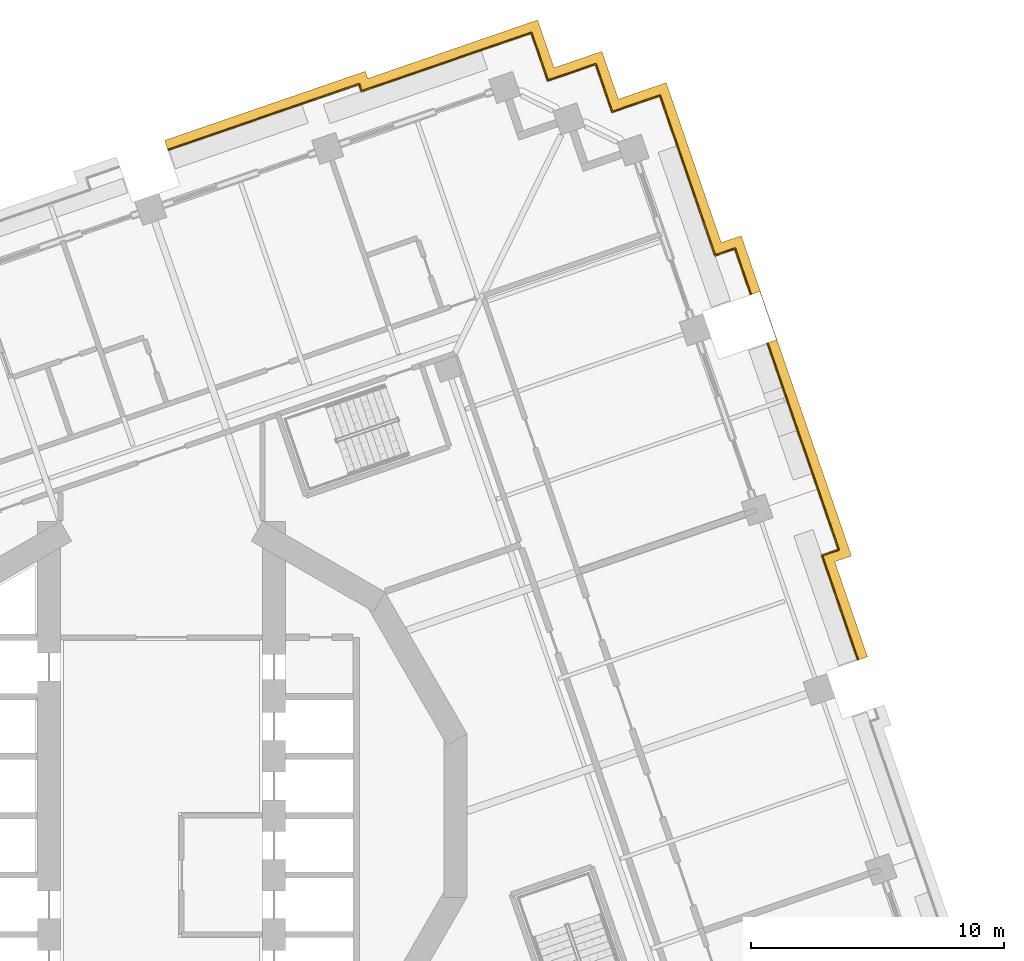
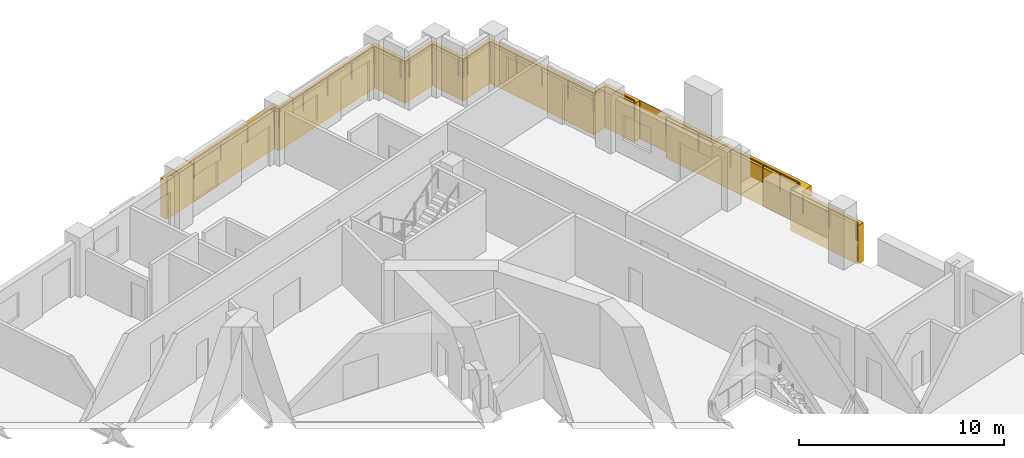
# One storey, part 18 of 19: 4 railings, 1 covering.
"""IFC4 building model written with IfcOpenShell, lengths in metres."""

from ifc_helpers import new_model, si_unit, direction, frame, origin, origin_2d, place, context, subcontext, project, spatial, polyline, circle, outline, extrude, material, type_object, element, save


model = new_model("IFC4")

# Units and contexts
model_context = context("Model", 3, precision=1e-05, world=origin(), true_north=direction((0.0, 1.0)))
body_context = subcontext(model_context, "Body", "Model", "MODEL_VIEW")
ifc_project = project(units=[si_unit("LENGTHUNIT", "METRE"), si_unit("AREAUNIT", "SQUARE_METRE"), si_unit("VOLUMEUNIT", "CUBIC_METRE"), si_unit("PLANEANGLEUNIT", "RADIAN"), si_unit("MASSUNIT", "GRAM", prefix="KILO")], contexts=[model_context])

# Site, building, storey
site_placement = place(None, origin())
site = spatial("IfcSite", under=ifc_project, at=site_placement, CompositionType="ELEMENT")
building_placement = place(site_placement, origin())
building = spatial("IfcBuilding", under=site, at=building_placement, Name="Cantera Rosa Tower", CompositionType="ELEMENT")
storey_placement = place(building_placement, frame((0.0, 0.0, 111.699951171875)))
storey = spatial("IfcBuildingStorey", under=building, at=storey_placement, Name="L22", CompositionType="ELEMENT", Elevation=111.699951171875)

# Railings
ifc_material_1 = material(Name="Stainless steel and laminated glass", Category="steel")
railing_type = type_object("IfcRailingType", Name="GUARD 1100", PredefinedType="BALUSTRADE", material=ifc_material_1)
railing_1_placement = place(storey_placement, frame((26.769775390625, 10.513916015625, 0.0)))
element("IfcRailing", 1, at=railing_1_placement, inside=storey, type_object=railing_type, Name="GUARD L22-12", PredefinedType="BALUSTRADE", context=body_context, shape_type="SweptSolid", body=[
    extrude(circle(Radius=0.030029296875, at=origin_2d()), frame((0.0, 0.0, 1.070068359375), z_axis=(-0.945372981626, -0.325990683319, 0.0), x_axis=(0.325990683319, -0.945372981626, 0.0)), (0.0, 0.0, 1.0), 0.14990234375),
    extrude(circle(Radius=0.030029296875, at=origin_2d()), frame((-0.1416015625, -0.048828125, 1.070068359375), z_axis=(-1.0, 0.0, 0.0), x_axis=(0.0, -1.0, 0.0)), (0.0, 0.0, 1.0), 0.000244140625),
    extrude(circle(Radius=0.030029296875, at=origin_2d()), frame((-0.141845703125, -0.048828125, 1.070068359375), z_axis=(-0.945449252134, -0.325769414831, 0.0), x_axis=(0.325769414831, -0.945449252134, 0.0)), (0.0, 0.0, 1.0), 0.544189453125),
    extrude(circle(Radius=0.030029296875, at=origin_2d()), frame((-0.65625, -0.22607421875, 1.070068359375), z_axis=(-0.941741911595, -0.336336396998, 0.0), x_axis=(0.336336396998, -0.941741911595, 0.0)), (0.0, 0.0, 1.0), 0.003662109375),
    extrude(circle(Radius=0.030029296875, at=origin_2d()), frame((-0.65966796875, -0.227294921875, 1.070068359375), z_axis=(0.294085848838, -0.955779008722, 0.0), x_axis=(0.955779008722, 0.294085848838, 0.0)), (0.0, 0.0, 1.0), 0.00341796875),
    extrude(circle(Radius=0.030029296875, at=origin_2d()), frame((-0.65869140625, -0.23046875, 1.070068359375), z_axis=(0.32557830589, -0.94551508012, 0.0), x_axis=(0.94551508012, 0.32557830589, 0.0)), (0.0, 0.0, 1.0), 0.821044921875),
    extrude(circle(Radius=0.030029296875, at=origin_2d()), frame((-0.391357421875, -1.0068359375, 1.070068359375), z_axis=(0.325573778727, -0.945516638989, 0.0), x_axis=(0.945516638989, 0.325573778727, 0.0)), (0.0, 0.0, 1.0), 3.4111328125),
    extrude(circle(Radius=0.030029296875, at=origin_2d()), frame((0.71923828125, -4.232177734375, 1.070068359375), z_axis=(0.4472135955, -0.894427191, 0.0), x_axis=(0.894427191, 0.4472135955, 0.0)), (0.0, 0.0, 1.0), 0.0009765625),
    extrude(circle(Radius=0.030029296875, at=origin_2d()), frame((0.7197265625, -4.233154296875, 1.070068359375), z_axis=(0.324219397928, -0.945981914207, 0.0), x_axis=(0.945981914207, 0.324219397928, 0.0)), (0.0, 0.0, 1.0), 0.118896484375),
    extrude(circle(Radius=0.02490234375, at=origin_2d()), origin(), (0.0, 0.0, 1.0), 1.0400390625),
    extrude(circle(Radius=0.02490234375, at=origin_2d()), frame((-0.1416015625, -0.048828125, 0.0)), (0.0, 0.0, 1.0), 1.0400390625),
    extrude(circle(Radius=0.02490234375, at=origin_2d()), frame((-0.141845703125, -0.048828125, 0.0)), (0.0, 0.0, 1.0), 1.0400390625),
    extrude(circle(Radius=0.02490234375, at=origin_2d()), frame((-0.65625, -0.22607421875, 0.0)), (0.0, 0.0, 1.0), 1.0400390625),
    extrude(circle(Radius=0.02490234375, at=origin_2d()), frame((-0.65966796875, -0.227294921875, 0.0)), (0.0, 0.0, 1.0), 1.0400390625),
    extrude(circle(Radius=0.02490234375, at=origin_2d()), frame((-0.65869140625, -0.23046875, 0.0)), (0.0, 0.0, 1.0), 1.0400390625),
    extrude(circle(Radius=0.02490234375, at=origin_2d()), frame((-0.391357421875, -1.0068359375, 0.0)), (0.0, 0.0, 1.0), 1.0400390625),
    extrude(circle(Radius=0.02490234375, at=origin_2d()), frame((0.1640625, -2.61962890625, 0.0)), (0.0, 0.0, 1.0), 1.0400390625),
    extrude(circle(Radius=0.02490234375, at=origin_2d()), frame((0.71923828125, -4.232177734375, 0.0)), (0.0, 0.0, 1.0), 1.0400390625),
    extrude(circle(Radius=0.02490234375, at=origin_2d()), frame((0.7197265625, -4.233154296875, 0.0)), (0.0, 0.0, 1.0), 1.0400390625),
    extrude(circle(Radius=0.02490234375, at=origin_2d()), frame((0.75830078125, -4.345703125, 0.0)), (0.0, 0.0, 1.0), 1.0400390625),
])
railing_2_placement = place(storey_placement, frame((23.9619140625, 18.668212890625, 0.0)))
element("IfcRailing", 2, at=railing_2_placement, inside=storey, type_object=railing_type, Name="GUARD L22-13", PredefinedType="BALUSTRADE", context=body_context, shape_type="SweptSolid", body=[
    extrude(circle(Radius=0.030029296875, at=origin_2d()), frame((0.0, 0.0, 1.070068359375), z_axis=(0.325579460886, -0.945514682408, 0.0), x_axis=(0.945514682408, 0.325579460886, 0.0)), (0.0, 0.0, 1.0), 6.23974609375),
    extrude(circle(Radius=0.030029296875, at=origin_2d()), frame((2.031494140625, -5.899658203125, 1.070068359375), z_axis=(0.707106781187, -0.707106781187, 0.0), x_axis=(0.707106781187, 0.707106781187, 0.0)), (0.0, 0.0, 1.0), 0.000244140625),
    extrude(circle(Radius=0.030029296875, at=origin_2d()), frame((2.03173828125, -5.89990234375, 1.070068359375), z_axis=(0.325522548632, -0.945534277714, 0.0), x_axis=(0.945534277714, 0.325522548632, 0.0)), (0.0, 0.0, 1.0), 2.234130859375),
    extrude(circle(Radius=0.030029296875, at=origin_2d()), frame((2.759033203125, -8.012451171875, 1.070068359375), z_axis=(0.316227766017, -0.948683298051, 0.0), x_axis=(0.948683298051, 0.316227766017, 0.0)), (0.0, 0.0, 1.0), 0.000732421875),
    extrude(circle(Radius=0.030029296875, at=origin_2d()), frame((2.75927734375, -8.01318359375, 1.070068359375), z_axis=(0.325536915192, -0.945529331564, 0.0), x_axis=(0.945529331564, 0.325536915192, 0.0)), (0.0, 0.0, 1.0), 0.149169921875),
    extrude(circle(Radius=0.02490234375, at=origin_2d()), origin(), (0.0, 0.0, 1.0), 1.0400390625),
    extrude(circle(Radius=0.02490234375, at=origin_2d()), frame((0.67724609375, -1.966552734375, 0.0)), (0.0, 0.0, 1.0), 1.0400390625),
    extrude(circle(Radius=0.02490234375, at=origin_2d()), frame((1.354248046875, -3.93310546875, 0.0)), (0.0, 0.0, 1.0), 1.0400390625),
    extrude(circle(Radius=0.02490234375, at=origin_2d()), frame((2.031494140625, -5.899658203125, 0.0)), (0.0, 0.0, 1.0), 1.0400390625),
    extrude(circle(Radius=0.02490234375, at=origin_2d()), frame((2.03173828125, -5.89990234375, 0.0)), (0.0, 0.0, 1.0), 1.0400390625),
    extrude(circle(Radius=0.02490234375, at=origin_2d()), frame((2.3955078125, -6.9560546875, 0.0)), (0.0, 0.0, 1.0), 1.0400390625),
    extrude(circle(Radius=0.02490234375, at=origin_2d()), frame((2.759033203125, -8.012451171875, 0.0)), (0.0, 0.0, 1.0), 1.0400390625),
    extrude(circle(Radius=0.02490234375, at=origin_2d()), frame((2.75927734375, -8.01318359375, 0.0)), (0.0, 0.0, 1.0), 1.0400390625),
    extrude(circle(Radius=0.02490234375, at=origin_2d()), frame((2.807861328125, -8.154296875, 0.0)), (0.0, 0.0, 1.0), 1.0400390625),
])
railing_3_placement = place(storey_placement, frame((19.705810546875, 28.466552734375, 0.0)))
element("IfcRailing", 3, at=railing_3_placement, inside=storey, type_object=railing_type, Name="GUARD L22-14", PredefinedType="BALUSTRADE", context=body_context, shape_type="SweptSolid", body=[
    extrude(circle(Radius=0.030029296875, at=origin_2d()), frame((0.0, 0.0, 1.070068359375), z_axis=(0.325561349174, -0.945520918819, 0.0), x_axis=(0.945520918819, 0.325561349174, 0.0)), (0.0, 0.0, 1.0), 1.699951171875),
    extrude(circle(Radius=0.030029296875, at=origin_2d()), frame((0.553466796875, -1.607421875, 1.070068359375), z_axis=(0.325584707216, -0.945512875865, 0.0), x_axis=(0.945512875865, 0.325584707216, 0.0)), (0.0, 0.0, 1.0), 4.98583984375),
    extrude(circle(Radius=0.030029296875, at=origin_2d()), frame((2.1767578125, -6.321533203125, 1.070068359375), z_axis=(0.94547555612, 0.325693065293, 0.0), x_axis=(-0.325693065293, 0.94547555612, 0.0)), (0.0, 0.0, 1.0), 0.834228515625),
    extrude(circle(Radius=0.030029296875, at=origin_2d()), frame((2.965576171875, -6.0498046875, 1.070068359375), z_axis=(0.325520455673, -0.945534998262, 0.0), x_axis=(0.945534998262, 0.325520455673, 0.0)), (0.0, 0.0, 1.0), 1.904296875),
    extrude(circle(Radius=0.02490234375, at=origin_2d()), origin(), (0.0, 0.0, 1.0), 1.0400390625),
    extrude(circle(Radius=0.02490234375, at=origin_2d()), frame((0.553466796875, -1.607421875, 0.0)), (0.0, 0.0, 1.0), 1.0400390625),
    extrude(circle(Radius=0.02490234375, at=origin_2d()), frame((1.094482421875, -3.1787109375, 0.0)), (0.0, 0.0, 1.0), 1.0400390625),
    extrude(circle(Radius=0.02490234375, at=origin_2d()), frame((1.6357421875, -4.750244140625, 0.0)), (0.0, 0.0, 1.0), 1.0400390625),
    extrude(circle(Radius=0.02490234375, at=origin_2d()), frame((2.1767578125, -6.321533203125, 0.0)), (0.0, 0.0, 1.0), 1.0400390625),
    extrude(circle(Radius=0.02490234375, at=origin_2d()), frame((2.965576171875, -6.0498046875, 0.0)), (0.0, 0.0, 1.0), 1.0400390625),
    extrude(circle(Radius=0.02490234375, at=origin_2d()), frame((3.58544921875, -7.850341796875, 0.0)), (0.0, 0.0, 1.0), 1.0400390625),
])
railing_4_placement = place(storey_placement, frame((0.275146484375, 26.32275390625, 0.0)))
element("IfcRailing", 4, at=railing_4_placement, inside=storey, type_object=railing_type, Name="GUARD L22-15", PredefinedType="BALUSTRADE", context=body_context, shape_type="SweptSolid", body=[
    extrude(circle(Radius=0.030029296875, at=origin_2d()), frame((0.0, 0.0, 1.070068359375), z_axis=(0.945508985481, 0.32559600485, 0.0), x_axis=(-0.32559600485, 0.945508985481, 0.0)), (0.0, 0.0, 1.0), 7.96923828125),
    extrude(circle(Radius=0.030029296875, at=origin_2d()), frame((7.534912109375, 2.5947265625, 1.070068359375), z_axis=(0.325512939397, -0.945537585866, 0.0), x_axis=(0.945537585866, 0.325512939397, 0.0)), (0.0, 0.0, 1.0), 0.29931640625),
    extrude(circle(Radius=0.030029296875, at=origin_2d()), frame((7.63232421875, 2.311767578125, 1.070068359375), z_axis=(0.945522759596, 0.325556002993, 0.0), x_axis=(-0.325556002993, 0.945522759596, 0.0)), (0.0, 0.0, 1.0), 5.40087890625),
    extrude(circle(Radius=0.030029296875, at=origin_2d()), frame((12.739013671875, 4.070068359375, 1.070068359375), z_axis=(0.945520918819, 0.325561349174, 0.0), x_axis=(-0.325561349174, 0.945520918819, 0.0)), (0.0, 0.0, 1.0), 1.699951171875),
    extrude(circle(Radius=0.030029296875, at=origin_2d()), frame((14.346435546875, 4.62353515625, 1.070068359375), z_axis=(0.325561349174, -0.945520918819, 0.0), x_axis=(0.945520918819, 0.325561349174, 0.0)), (0.0, 0.0, 1.0), 1.699951171875),
    extrude(circle(Radius=0.030029296875, at=origin_2d()), frame((14.89990234375, 3.01611328125, 1.070068359375), z_axis=(0.325489086777, -0.945545797087, 0.0), x_axis=(0.945545797087, 0.325489086777, 0.0)), (0.0, 0.0, 1.0), 0.300048828125),
    extrude(circle(Radius=0.030029296875, at=origin_2d()), frame((14.99755859375, 2.732421875, 1.070068359375), z_axis=(0.945459489149, 0.325739703411, 0.0), x_axis=(-0.325739703411, 0.945459489149, 0.0)), (0.0, 0.0, 1.0), 0.2998046875),
    extrude(circle(Radius=0.030029296875, at=origin_2d()), frame((15.281005859375, 2.830078125, 1.070068359375), z_axis=(0.945520918819, 0.325561349174, 0.0), x_axis=(-0.325561349174, 0.945520918819, 0.0)), (0.0, 0.0, 1.0), 1.699951171875),
    extrude(circle(Radius=0.030029296875, at=origin_2d()), frame((16.888427734375, 3.383544921875, 1.070068359375), z_axis=(0.325605561237, -0.945505694584, 0.0), x_axis=(0.945505694584, 0.325605561237, 0.0)), (0.0, 0.0, 1.0), 1.69970703125),
    extrude(circle(Radius=0.030029296875, at=origin_2d()), frame((17.44189453125, 1.7763671875, 1.070068359375), z_axis=(0.325489086777, -0.945545797087, 0.0), x_axis=(0.945545797087, 0.325489086777, 0.0)), (0.0, 0.0, 1.0), 0.300048828125),
    extrude(circle(Radius=0.030029296875, at=origin_2d()), frame((17.53955078125, 1.49267578125, 1.070068359375), z_axis=(0.945545797087, 0.325489086777, 0.0), x_axis=(-0.325489086777, 0.945545797087, 0.0)), (0.0, 0.0, 1.0), 0.300048828125),
    extrude(circle(Radius=0.030029296875, at=origin_2d()), frame((17.8232421875, 1.59033203125, 1.070068359375), z_axis=(0.945520918819, 0.325561349174, 0.0), x_axis=(-0.325561349174, 0.945520918819, 0.0)), (0.0, 0.0, 1.0), 1.699951171875),
    extrude(circle(Radius=0.02490234375, at=origin_2d()), origin(), (0.0, 0.0, 1.0), 1.0400390625),
    extrude(circle(Radius=0.02490234375, at=origin_2d()), frame((1.8837890625, 0.648681640625, 0.0)), (0.0, 0.0, 1.0), 1.0400390625),
    extrude(circle(Radius=0.02490234375, at=origin_2d()), frame((3.767578125, 1.29736328125, 0.0)), (0.0, 0.0, 1.0), 1.0400390625),
    extrude(circle(Radius=0.02490234375, at=origin_2d()), frame((5.651123046875, 1.946044921875, 0.0)), (0.0, 0.0, 1.0), 1.0400390625),
    extrude(circle(Radius=0.02490234375, at=origin_2d()), frame((7.534912109375, 2.5947265625, 0.0)), (0.0, 0.0, 1.0), 1.0400390625),
    extrude(circle(Radius=0.02490234375, at=origin_2d()), frame((7.63232421875, 2.311767578125, 0.0)), (0.0, 0.0, 1.0), 1.0400390625),
    extrude(circle(Radius=0.02490234375, at=origin_2d()), frame((9.33447265625, 2.89794921875, 0.0)), (0.0, 0.0, 1.0), 1.0400390625),
    extrude(circle(Radius=0.02490234375, at=origin_2d()), frame((11.036865234375, 3.48388671875, 0.0)), (0.0, 0.0, 1.0), 1.0400390625),
    extrude(circle(Radius=0.02490234375, at=origin_2d()), frame((12.739013671875, 4.070068359375, 0.0)), (0.0, 0.0, 1.0), 1.0400390625),
    extrude(circle(Radius=0.02490234375, at=origin_2d()), frame((14.346435546875, 4.62353515625, 0.0)), (0.0, 0.0, 1.0), 1.0400390625),
    extrude(circle(Radius=0.02490234375, at=origin_2d()), frame((14.89990234375, 3.01611328125, 0.0)), (0.0, 0.0, 1.0), 1.0400390625),
    extrude(circle(Radius=0.02490234375, at=origin_2d()), frame((14.99755859375, 2.732421875, 0.0)), (0.0, 0.0, 1.0), 1.0400390625),
    extrude(circle(Radius=0.02490234375, at=origin_2d()), frame((15.281005859375, 2.830078125, 0.0)), (0.0, 0.0, 1.0), 1.0400390625),
    extrude(circle(Radius=0.02490234375, at=origin_2d()), frame((16.888427734375, 3.383544921875, 0.0)), (0.0, 0.0, 1.0), 1.0400390625),
    extrude(circle(Radius=0.02490234375, at=origin_2d()), frame((17.44189453125, 1.7763671875, 0.0)), (0.0, 0.0, 1.0), 1.0400390625),
    extrude(circle(Radius=0.02490234375, at=origin_2d()), frame((17.53955078125, 1.49267578125, 0.0)), (0.0, 0.0, 1.0), 1.0400390625),
    extrude(circle(Radius=0.02490234375, at=origin_2d()), frame((17.8232421875, 1.59033203125, 0.0)), (0.0, 0.0, 1.0), 1.0400390625),
    extrude(circle(Radius=0.02490234375, at=origin_2d()), frame((19.4306640625, 2.143798828125, 0.0)), (0.0, 0.0, 1.0), 1.0400390625),
])

# Covering
ifc_material_2 = material(Name="Cantera stone", Category="masonry")
covering_type = type_object("IfcCoveringType", Name="TRAY FASCIA 400", PredefinedType="CLADDING", material=ifc_material_2)
covering_placement = place(storey_placement, frame((0.0, 0.0, -1.39990234375)))
element("IfcCovering", 5, at=covering_placement, inside=storey, type_object=covering_type, Name="TRAY FASCIA L22-05", PredefinedType="CLADDING", context=body_context, shape_type="SweptSolid", body=[
    extrude(outline(polyline([(8.05810546875, 29.42578125), (8.155517578125, 29.142822265625), (12.8837890625, 30.77099609375), (14.869384765625, 31.454833984375), (15.5205078125, 29.563720703125), (17.41162109375, 30.21484375), (18.062744140625, 28.32373046875), (19.953857421875, 28.974853515625), (20.637451171875, 26.9892578125), (22.13037109375, 22.653564453125), (22.919189453125, 22.925048828125), (27.278076171875, 10.265869140625), (26.618408203125, 10.038818359375), (27.912841796875, 6.279541015625), (27.53466796875, 6.1494140625), (26.110107421875, 10.28662109375), (26.769775390625, 10.513916015625), (23.95556640625, 18.687255859375), (24.30126953125, 18.806396484375), (24.30224609375, 18.806640625), (24.302978515625, 18.80712890625), (24.303955078125, 18.8076171875), (24.3046875, 18.808349609375), (24.305419921875, 18.808837890625), (24.305908203125, 18.809814453125), (24.306396484375, 18.810546875), (24.306884765625, 18.811279296875), (24.307373046875, 18.812255859375), (24.3076171875, 18.813232421875), (24.307861328125, 18.814208984375), (24.307861328125, 18.815185546875), (24.307861328125, 18.816162109375), (24.307861328125, 18.817138671875), (24.3076171875, 18.818115234375), (24.307373046875, 18.819091796875), (23.65625, 20.7099609375), (23.656005859375, 20.7109375), (23.655517578125, 20.7119140625), (23.655029296875, 20.712646484375), (23.654296875, 20.71337890625), (23.653564453125, 20.714111328125), (23.65283203125, 20.71484375), (23.652099609375, 20.71533203125), (23.651123046875, 20.7158203125), (23.650390625, 20.716064453125), (23.6494140625, 20.716552734375), (23.6484375, 20.716552734375), (23.6474609375, 20.716796875), (23.646484375, 20.716796875), (23.6455078125, 20.716796875), (23.64453125, 20.716552734375), (23.6435546875, 20.71630859375), (23.2978515625, 20.59716796875), (22.67138671875, 22.416748046875), (21.882568359375, 22.14501953125), (20.25927734375, 26.859130859375), (19.705810546875, 28.466552734375), (18.098388671875, 27.9130859375), (17.814697265625, 27.8154296875), (17.717041015625, 28.09912109375), (17.16357421875, 29.706298828125), (15.55615234375, 29.15283203125), (15.272705078125, 29.05517578125), (15.175048828125, 29.3388671875), (14.62158203125, 30.9462890625), (13.01416015625, 30.392822265625), (7.907470703125, 28.634521484375), (7.81005859375, 28.91748046875), (0.256103515625, 26.31640625), (0.1259765625, 26.694580078125), (8.05810546875, 29.42578125)])), origin(), (0.0, 0.0, 1.0), 2.300048828125),
])

save(model, "model.ifc")
